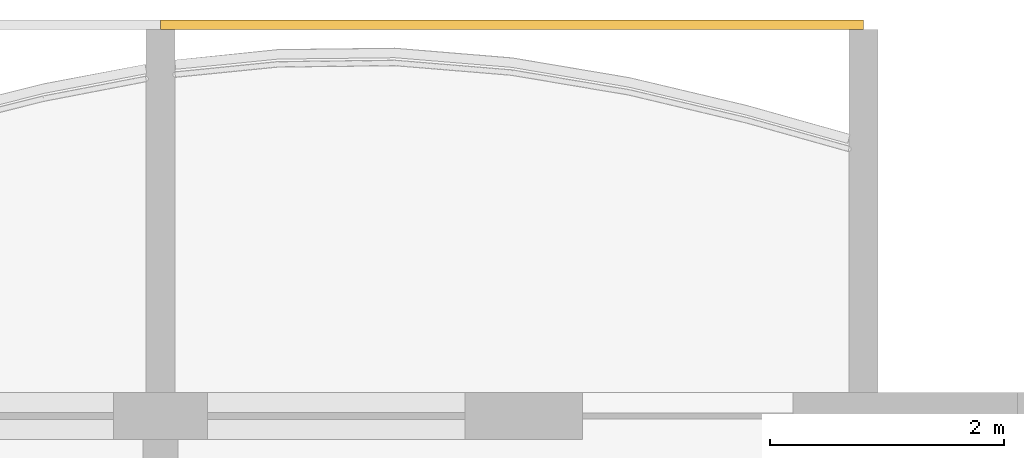
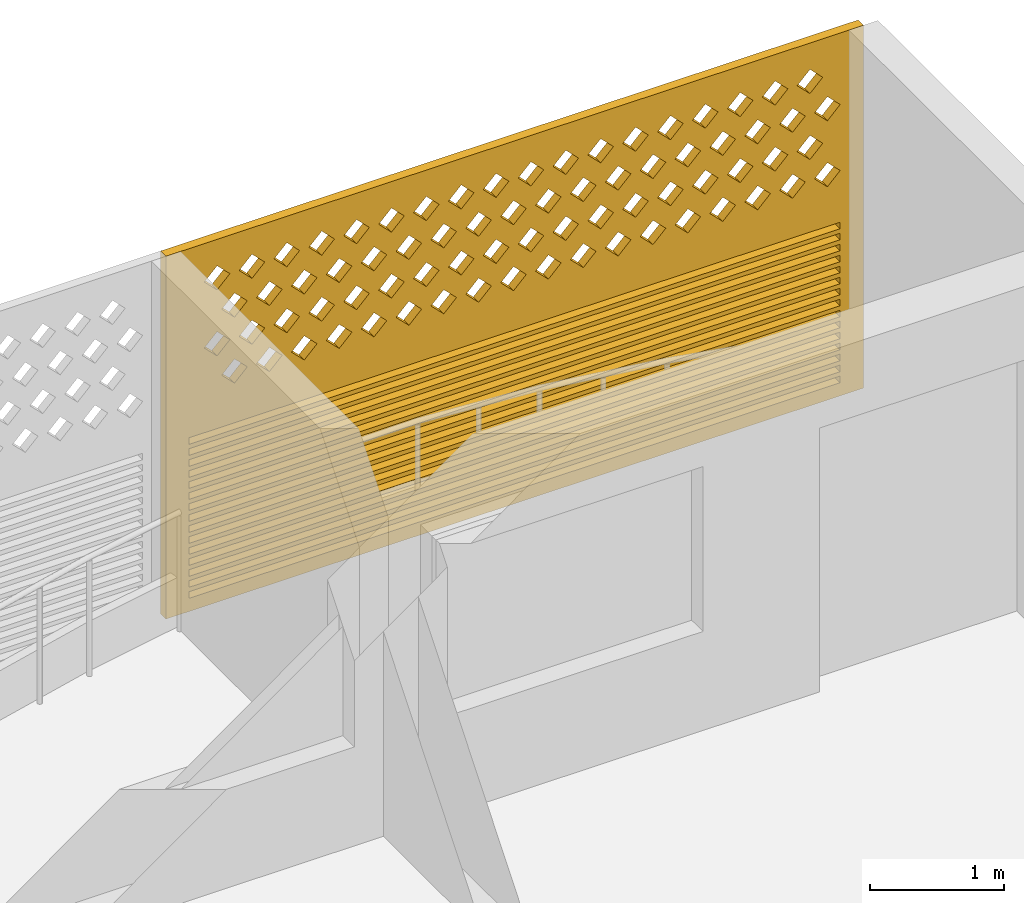
# One storey, part 31 of 31: 1 covering.
"""IFC4 building model written with IfcOpenShell, lengths in metres."""

from ifc_helpers import new_model, si_unit, direction, frame, origin, place, context, subcontext, project, spatial, polyline, outline, extrude, source, transform, mapped, material, material_profile, profile_set, type_object, element, save


model = new_model("IFC4")

# Units and contexts
model_context = context("Model", 3, precision=1e-05, world=origin(), true_north=direction((0.0, 1.0)))
body_context = subcontext(model_context, "Body", "Model", "MODEL_VIEW")
ifc_project = project(units=[si_unit("LENGTHUNIT", "METRE"), si_unit("AREAUNIT", "SQUARE_METRE"), si_unit("VOLUMEUNIT", "CUBIC_METRE"), si_unit("PLANEANGLEUNIT", "RADIAN"), si_unit("MASSUNIT", "GRAM", prefix="KILO")], contexts=[model_context])

# Site, building, storey
site_placement = place(None, origin())
site = spatial("IfcSite", under=ifc_project, at=site_placement, CompositionType="ELEMENT")
building_placement = place(site_placement, origin())
building = spatial("IfcBuilding", under=site, at=building_placement, Name="Poui Terraces", CompositionType="ELEMENT")
storey_placement = place(building_placement, frame((0.0, 0.0, 142.199951171875)))
storey = spatial("IfcBuildingStorey", under=building, at=storey_placement, Name="L39", CompositionType="ELEMENT", Elevation=142.199951171875)

# Covering
ifc_material = material(Name="Terracotta screen", Category="masonry")
ifc_material_profile = material_profile(ifc_material, outline(polyline([(-3.0, -1.64990234375), (3.0, -1.64990234375), (3.0, 1.64990234375), (-3.0, 1.64990234375), (-3.0, -1.64990234375)]), holes=[polyline([(-2.800048828125, 0.39990234375), (-2.68994140625, 0.2900390625), (-2.580078125, 0.39990234375), (-2.68994140625, 0.510009765625), (-2.800048828125, 0.39990234375)]), polyline([(-2.5, 0.39990234375), (-2.389892578125, 0.2900390625), (-2.280029296875, 0.39990234375), (-2.389892578125, 0.510009765625), (-2.5, 0.39990234375)]), polyline([(-2.199951171875, 0.39990234375), (-2.090087890625, 0.2900390625), (-1.97998046875, 0.39990234375), (-2.090087890625, 0.510009765625), (-2.199951171875, 0.39990234375)]), polyline([(-1.89990234375, 0.39990234375), (-1.7900390625, 0.2900390625), (-1.679931640625, 0.39990234375), (-1.7900390625, 0.510009765625), (-1.89990234375, 0.39990234375)]), polyline([(-1.60009765625, 0.39990234375), (-1.489990234375, 0.2900390625), (-1.3798828125, 0.39990234375), (-1.489990234375, 0.510009765625), (-1.60009765625, 0.39990234375)]), polyline([(-1.300048828125, 0.39990234375), (-1.18994140625, 0.2900390625), (-1.080078125, 0.39990234375), (-1.18994140625, 0.510009765625), (-1.300048828125, 0.39990234375)]), polyline([(-1.0, 0.39990234375), (-0.889892578125, 0.2900390625), (-0.780029296875, 0.39990234375), (-0.889892578125, 0.510009765625), (-1.0, 0.39990234375)]), polyline([(-0.699951171875, 0.39990234375), (-0.590087890625, 0.2900390625), (-0.47998046875, 0.39990234375), (-0.590087890625, 0.510009765625), (-0.699951171875, 0.39990234375)]), polyline([(-0.39990234375, 0.39990234375), (-0.2900390625, 0.2900390625), (-0.179931640625, 0.39990234375), (-0.2900390625, 0.510009765625), (-0.39990234375, 0.39990234375)]), polyline([(-0.10009765625, 0.39990234375), (0.010009765625, 0.2900390625), (0.1201171875, 0.39990234375), (0.010009765625, 0.510009765625), (-0.10009765625, 0.39990234375)]), polyline([(0.199951171875, 0.39990234375), (0.31005859375, 0.2900390625), (0.419921875, 0.39990234375), (0.31005859375, 0.510009765625), (0.199951171875, 0.39990234375)]), polyline([(0.5, 0.39990234375), (0.610107421875, 0.2900390625), (0.719970703125, 0.39990234375), (0.610107421875, 0.510009765625), (0.5, 0.39990234375)]), polyline([(0.800048828125, 0.39990234375), (0.909912109375, 0.2900390625), (1.02001953125, 0.39990234375), (0.909912109375, 0.510009765625), (0.800048828125, 0.39990234375)]), polyline([(1.10009765625, 0.39990234375), (1.2099609375, 0.2900390625), (1.320068359375, 0.39990234375), (1.2099609375, 0.510009765625), (1.10009765625, 0.39990234375)]), polyline([(1.39990234375, 0.39990234375), (1.510009765625, 0.2900390625), (1.6201171875, 0.39990234375), (1.510009765625, 0.510009765625), (1.39990234375, 0.39990234375)]), polyline([(1.699951171875, 0.39990234375), (1.81005859375, 0.2900390625), (1.919921875, 0.39990234375), (1.81005859375, 0.510009765625), (1.699951171875, 0.39990234375)]), polyline([(2.0, 0.39990234375), (2.110107421875, 0.2900390625), (2.219970703125, 0.39990234375), (2.110107421875, 0.510009765625), (2.0, 0.39990234375)]), polyline([(2.300048828125, 0.39990234375), (2.409912109375, 0.2900390625), (2.52001953125, 0.39990234375), (2.409912109375, 0.510009765625), (2.300048828125, 0.39990234375)]), polyline([(-2.64990234375, 0.699951171875), (-2.5400390625, 0.590087890625), (-2.429931640625, 0.699951171875), (-2.5400390625, 0.81005859375), (-2.64990234375, 0.699951171875)]), polyline([(-2.35009765625, 0.699951171875), (-2.239990234375, 0.590087890625), (-2.1298828125, 0.699951171875), (-2.239990234375, 0.81005859375), (-2.35009765625, 0.699951171875)]), polyline([(-2.050048828125, 0.699951171875), (-1.93994140625, 0.590087890625), (-1.830078125, 0.699951171875), (-1.93994140625, 0.81005859375), (-2.050048828125, 0.699951171875)]), polyline([(-1.75, 0.699951171875), (-1.639892578125, 0.590087890625), (-1.530029296875, 0.699951171875), (-1.639892578125, 0.81005859375), (-1.75, 0.699951171875)]), polyline([(-1.449951171875, 0.699951171875), (-1.340087890625, 0.590087890625), (-1.22998046875, 0.699951171875), (-1.340087890625, 0.81005859375), (-1.449951171875, 0.699951171875)]), polyline([(-1.14990234375, 0.699951171875), (-1.0400390625, 0.590087890625), (-0.929931640625, 0.699951171875), (-1.0400390625, 0.81005859375), (-1.14990234375, 0.699951171875)]), polyline([(-0.85009765625, 0.699951171875), (-0.739990234375, 0.590087890625), (-0.6298828125, 0.699951171875), (-0.739990234375, 0.81005859375), (-0.85009765625, 0.699951171875)]), polyline([(-0.550048828125, 0.699951171875), (-0.43994140625, 0.590087890625), (-0.330078125, 0.699951171875), (-0.43994140625, 0.81005859375), (-0.550048828125, 0.699951171875)]), polyline([(-0.25, 0.699951171875), (-0.139892578125, 0.590087890625), (-0.030029296875, 0.699951171875), (-0.139892578125, 0.81005859375), (-0.25, 0.699951171875)]), polyline([(0.050048828125, 0.699951171875), (0.159912109375, 0.590087890625), (0.27001953125, 0.699951171875), (0.159912109375, 0.81005859375), (0.050048828125, 0.699951171875)]), polyline([(0.35009765625, 0.699951171875), (0.4599609375, 0.590087890625), (0.570068359375, 0.699951171875), (0.4599609375, 0.81005859375), (0.35009765625, 0.699951171875)]), polyline([(0.64990234375, 0.699951171875), (0.760009765625, 0.590087890625), (0.8701171875, 0.699951171875), (0.760009765625, 0.81005859375), (0.64990234375, 0.699951171875)]), polyline([(0.949951171875, 0.699951171875), (1.06005859375, 0.590087890625), (1.169921875, 0.699951171875), (1.06005859375, 0.81005859375), (0.949951171875, 0.699951171875)]), polyline([(1.25, 0.699951171875), (1.360107421875, 0.590087890625), (1.469970703125, 0.699951171875), (1.360107421875, 0.81005859375), (1.25, 0.699951171875)]), polyline([(1.550048828125, 0.699951171875), (1.659912109375, 0.590087890625), (1.77001953125, 0.699951171875), (1.659912109375, 0.81005859375), (1.550048828125, 0.699951171875)]), polyline([(1.85009765625, 0.699951171875), (1.9599609375, 0.590087890625), (2.070068359375, 0.699951171875), (1.9599609375, 0.81005859375), (1.85009765625, 0.699951171875)]), polyline([(2.14990234375, 0.699951171875), (2.260009765625, 0.590087890625), (2.3701171875, 0.699951171875), (2.260009765625, 0.81005859375), (2.14990234375, 0.699951171875)]), polyline([(2.449951171875, 0.699951171875), (2.56005859375, 0.590087890625), (2.669921875, 0.699951171875), (2.56005859375, 0.81005859375), (2.449951171875, 0.699951171875)]), polyline([(-2.800048828125, 1.0), (-2.68994140625, 0.889892578125), (-2.580078125, 1.0), (-2.68994140625, 1.110107421875), (-2.800048828125, 1.0)]), polyline([(-2.5, 1.0), (-2.389892578125, 0.889892578125), (-2.280029296875, 1.0), (-2.389892578125, 1.110107421875), (-2.5, 1.0)]), polyline([(-2.199951171875, 1.0), (-2.090087890625, 0.889892578125), (-1.97998046875, 1.0), (-2.090087890625, 1.110107421875), (-2.199951171875, 1.0)]), polyline([(-1.89990234375, 1.0), (-1.7900390625, 0.889892578125), (-1.679931640625, 1.0), (-1.7900390625, 1.110107421875), (-1.89990234375, 1.0)]), polyline([(-1.60009765625, 1.0), (-1.489990234375, 0.889892578125), (-1.3798828125, 1.0), (-1.489990234375, 1.110107421875), (-1.60009765625, 1.0)]), polyline([(-1.300048828125, 1.0), (-1.18994140625, 0.889892578125), (-1.080078125, 1.0), (-1.18994140625, 1.110107421875), (-1.300048828125, 1.0)]), polyline([(-1.0, 1.0), (-0.889892578125, 0.889892578125), (-0.780029296875, 1.0), (-0.889892578125, 1.110107421875), (-1.0, 1.0)]), polyline([(-0.699951171875, 1.0), (-0.590087890625, 0.889892578125), (-0.47998046875, 1.0), (-0.590087890625, 1.110107421875), (-0.699951171875, 1.0)]), polyline([(-0.39990234375, 1.0), (-0.2900390625, 0.889892578125), (-0.179931640625, 1.0), (-0.2900390625, 1.110107421875), (-0.39990234375, 1.0)]), polyline([(-0.10009765625, 1.0), (0.010009765625, 0.889892578125), (0.1201171875, 1.0), (0.010009765625, 1.110107421875), (-0.10009765625, 1.0)]), polyline([(0.199951171875, 1.0), (0.31005859375, 0.889892578125), (0.419921875, 1.0), (0.31005859375, 1.110107421875), (0.199951171875, 1.0)]), polyline([(0.5, 1.0), (0.610107421875, 0.889892578125), (0.719970703125, 1.0), (0.610107421875, 1.110107421875), (0.5, 1.0)]), polyline([(0.800048828125, 1.0), (0.909912109375, 0.889892578125), (1.02001953125, 1.0), (0.909912109375, 1.110107421875), (0.800048828125, 1.0)]), polyline([(1.10009765625, 1.0), (1.2099609375, 0.889892578125), (1.320068359375, 1.0), (1.2099609375, 1.110107421875), (1.10009765625, 1.0)]), polyline([(1.39990234375, 1.0), (1.510009765625, 0.889892578125), (1.6201171875, 1.0), (1.510009765625, 1.110107421875), (1.39990234375, 1.0)]), polyline([(1.699951171875, 1.0), (1.81005859375, 0.889892578125), (1.919921875, 1.0), (1.81005859375, 1.110107421875), (1.699951171875, 1.0)]), polyline([(2.0, 1.0), (2.110107421875, 0.889892578125), (2.219970703125, 1.0), (2.110107421875, 1.110107421875), (2.0, 1.0)]), polyline([(2.300048828125, 1.0), (2.409912109375, 0.889892578125), (2.52001953125, 1.0), (2.409912109375, 1.110107421875), (2.300048828125, 1.0)]), polyline([(-2.64990234375, 1.300048828125), (-2.5400390625, 1.18994140625), (-2.429931640625, 1.300048828125), (-2.5400390625, 1.409912109375), (-2.64990234375, 1.300048828125)]), polyline([(-2.35009765625, 1.300048828125), (-2.239990234375, 1.18994140625), (-2.1298828125, 1.300048828125), (-2.239990234375, 1.409912109375), (-2.35009765625, 1.300048828125)]), polyline([(-2.050048828125, 1.300048828125), (-1.93994140625, 1.18994140625), (-1.830078125, 1.300048828125), (-1.93994140625, 1.409912109375), (-2.050048828125, 1.300048828125)]), polyline([(-1.75, 1.300048828125), (-1.639892578125, 1.18994140625), (-1.530029296875, 1.300048828125), (-1.639892578125, 1.409912109375), (-1.75, 1.300048828125)]), polyline([(-1.449951171875, 1.300048828125), (-1.340087890625, 1.18994140625), (-1.22998046875, 1.300048828125), (-1.340087890625, 1.409912109375), (-1.449951171875, 1.300048828125)]), polyline([(-1.14990234375, 1.300048828125), (-1.0400390625, 1.18994140625), (-0.929931640625, 1.300048828125), (-1.0400390625, 1.409912109375), (-1.14990234375, 1.300048828125)]), polyline([(-0.85009765625, 1.300048828125), (-0.739990234375, 1.18994140625), (-0.6298828125, 1.300048828125), (-0.739990234375, 1.409912109375), (-0.85009765625, 1.300048828125)]), polyline([(-0.550048828125, 1.300048828125), (-0.43994140625, 1.18994140625), (-0.330078125, 1.300048828125), (-0.43994140625, 1.409912109375), (-0.550048828125, 1.300048828125)]), polyline([(-0.25, 1.300048828125), (-0.139892578125, 1.18994140625), (-0.030029296875, 1.300048828125), (-0.139892578125, 1.409912109375), (-0.25, 1.300048828125)]), polyline([(0.050048828125, 1.300048828125), (0.159912109375, 1.18994140625), (0.27001953125, 1.300048828125), (0.159912109375, 1.409912109375), (0.050048828125, 1.300048828125)]), polyline([(0.35009765625, 1.300048828125), (0.4599609375, 1.18994140625), (0.570068359375, 1.300048828125), (0.4599609375, 1.409912109375), (0.35009765625, 1.300048828125)]), polyline([(0.64990234375, 1.300048828125), (0.760009765625, 1.18994140625), (0.8701171875, 1.300048828125), (0.760009765625, 1.409912109375), (0.64990234375, 1.300048828125)]), polyline([(0.949951171875, 1.300048828125), (1.06005859375, 1.18994140625), (1.169921875, 1.300048828125), (1.06005859375, 1.409912109375), (0.949951171875, 1.300048828125)]), polyline([(1.25, 1.300048828125), (1.360107421875, 1.18994140625), (1.469970703125, 1.300048828125), (1.360107421875, 1.409912109375), (1.25, 1.300048828125)]), polyline([(1.550048828125, 1.300048828125), (1.659912109375, 1.18994140625), (1.77001953125, 1.300048828125), (1.659912109375, 1.409912109375), (1.550048828125, 1.300048828125)]), polyline([(1.85009765625, 1.300048828125), (1.9599609375, 1.18994140625), (2.070068359375, 1.300048828125), (1.9599609375, 1.409912109375), (1.85009765625, 1.300048828125)]), polyline([(2.14990234375, 1.300048828125), (2.260009765625, 1.18994140625), (2.3701171875, 1.300048828125), (2.260009765625, 1.409912109375), (2.14990234375, 1.300048828125)]), polyline([(2.449951171875, 1.300048828125), (2.56005859375, 1.18994140625), (2.669921875, 1.300048828125), (2.56005859375, 1.409912109375), (2.449951171875, 1.300048828125)]), polyline([(-2.800048828125, -1.530029296875), (2.800048828125, -1.530029296875), (2.800048828125, -1.469970703125), (-2.800048828125, -1.469970703125), (-2.800048828125, -1.530029296875)]), polyline([(-2.800048828125, -1.429931640625), (2.800048828125, -1.429931640625), (2.800048828125, -1.3701171875), (-2.800048828125, -1.3701171875), (-2.800048828125, -1.429931640625)]), polyline([(-2.800048828125, -1.330078125), (2.800048828125, -1.330078125), (2.800048828125, -1.27001953125), (-2.800048828125, -1.27001953125), (-2.800048828125, -1.330078125)]), polyline([(-2.800048828125, -1.22998046875), (2.800048828125, -1.22998046875), (2.800048828125, -1.169921875), (-2.800048828125, -1.169921875), (-2.800048828125, -1.22998046875)]), polyline([(-2.800048828125, -1.1298828125), (2.800048828125, -1.1298828125), (2.800048828125, -1.070068359375), (-2.800048828125, -1.070068359375), (-2.800048828125, -1.1298828125)]), polyline([(-2.800048828125, -1.030029296875), (2.800048828125, -1.030029296875), (2.800048828125, -0.969970703125), (-2.800048828125, -0.969970703125), (-2.800048828125, -1.030029296875)]), polyline([(-2.800048828125, -0.929931640625), (2.800048828125, -0.929931640625), (2.800048828125, -0.8701171875), (-2.800048828125, -0.8701171875), (-2.800048828125, -0.929931640625)]), polyline([(-2.800048828125, -0.830078125), (2.800048828125, -0.830078125), (2.800048828125, -0.77001953125), (-2.800048828125, -0.77001953125), (-2.800048828125, -0.830078125)]), polyline([(-2.800048828125, -0.72998046875), (2.800048828125, -0.72998046875), (2.800048828125, -0.669921875), (-2.800048828125, -0.669921875), (-2.800048828125, -0.72998046875)]), polyline([(-2.800048828125, -0.6298828125), (2.800048828125, -0.6298828125), (2.800048828125, -0.570068359375), (-2.800048828125, -0.570068359375), (-2.800048828125, -0.6298828125)]), polyline([(-2.800048828125, -0.530029296875), (2.800048828125, -0.530029296875), (2.800048828125, -0.469970703125), (-2.800048828125, -0.469970703125), (-2.800048828125, -0.530029296875)]), polyline([(-2.800048828125, -0.429931640625), (2.800048828125, -0.429931640625), (2.800048828125, -0.3701171875), (-2.800048828125, -0.3701171875), (-2.800048828125, -0.429931640625)]), polyline([(-2.800048828125, -0.330078125), (2.800048828125, -0.330078125), (2.800048828125, -0.27001953125), (-2.800048828125, -0.27001953125), (-2.800048828125, -0.330078125)]), polyline([(-2.800048828125, -0.22998046875), (2.800048828125, -0.22998046875), (2.800048828125, -0.169921875), (-2.800048828125, -0.169921875), (-2.800048828125, -0.22998046875)]), polyline([(-2.800048828125, -0.1298828125), (2.800048828125, -0.1298828125), (2.800048828125, -0.070068359375), (-2.800048828125, -0.070068359375), (-2.800048828125, -0.1298828125)])]), Name="TERRACOTTA SCREEN AND JALOUSIE LOUVRE 6000X3300")
ifc_profile_set = profile_set([ifc_material_profile], Name="Terracotta screen")
covering_type = type_object("IfcCoveringType", Name="TERRACOTTA SCREEN AND JALOUSIE LOUVRE 6000X3300", PredefinedType="CLADDING", material=ifc_profile_set)
shared_shape = source(origin(), body_context, "Body", "SweptSolid", [
    extrude(outline(polyline([(-3.0, -1.64990234375), (3.0, -1.64990234375), (3.0, 1.64990234375), (-3.0, 1.64990234375), (-3.0, -1.64990234375)]), holes=[polyline([(-2.800048828125, 0.39990234375), (-2.68994140625, 0.2900390625), (-2.580078125, 0.39990234375), (-2.68994140625, 0.510009765625), (-2.800048828125, 0.39990234375)]), polyline([(-2.5, 0.39990234375), (-2.389892578125, 0.2900390625), (-2.280029296875, 0.39990234375), (-2.389892578125, 0.510009765625), (-2.5, 0.39990234375)]), polyline([(-2.199951171875, 0.39990234375), (-2.090087890625, 0.2900390625), (-1.97998046875, 0.39990234375), (-2.090087890625, 0.510009765625), (-2.199951171875, 0.39990234375)]), polyline([(-1.89990234375, 0.39990234375), (-1.7900390625, 0.2900390625), (-1.679931640625, 0.39990234375), (-1.7900390625, 0.510009765625), (-1.89990234375, 0.39990234375)]), polyline([(-1.60009765625, 0.39990234375), (-1.489990234375, 0.2900390625), (-1.3798828125, 0.39990234375), (-1.489990234375, 0.510009765625), (-1.60009765625, 0.39990234375)]), polyline([(-1.300048828125, 0.39990234375), (-1.18994140625, 0.2900390625), (-1.080078125, 0.39990234375), (-1.18994140625, 0.510009765625), (-1.300048828125, 0.39990234375)]), polyline([(-1.0, 0.39990234375), (-0.889892578125, 0.2900390625), (-0.780029296875, 0.39990234375), (-0.889892578125, 0.510009765625), (-1.0, 0.39990234375)]), polyline([(-0.699951171875, 0.39990234375), (-0.590087890625, 0.2900390625), (-0.47998046875, 0.39990234375), (-0.590087890625, 0.510009765625), (-0.699951171875, 0.39990234375)]), polyline([(-0.39990234375, 0.39990234375), (-0.2900390625, 0.2900390625), (-0.179931640625, 0.39990234375), (-0.2900390625, 0.510009765625), (-0.39990234375, 0.39990234375)]), polyline([(-0.10009765625, 0.39990234375), (0.010009765625, 0.2900390625), (0.1201171875, 0.39990234375), (0.010009765625, 0.510009765625), (-0.10009765625, 0.39990234375)]), polyline([(0.199951171875, 0.39990234375), (0.31005859375, 0.2900390625), (0.419921875, 0.39990234375), (0.31005859375, 0.510009765625), (0.199951171875, 0.39990234375)]), polyline([(0.5, 0.39990234375), (0.610107421875, 0.2900390625), (0.719970703125, 0.39990234375), (0.610107421875, 0.510009765625), (0.5, 0.39990234375)]), polyline([(0.800048828125, 0.39990234375), (0.909912109375, 0.2900390625), (1.02001953125, 0.39990234375), (0.909912109375, 0.510009765625), (0.800048828125, 0.39990234375)]), polyline([(1.10009765625, 0.39990234375), (1.2099609375, 0.2900390625), (1.320068359375, 0.39990234375), (1.2099609375, 0.510009765625), (1.10009765625, 0.39990234375)]), polyline([(1.39990234375, 0.39990234375), (1.510009765625, 0.2900390625), (1.6201171875, 0.39990234375), (1.510009765625, 0.510009765625), (1.39990234375, 0.39990234375)]), polyline([(1.699951171875, 0.39990234375), (1.81005859375, 0.2900390625), (1.919921875, 0.39990234375), (1.81005859375, 0.510009765625), (1.699951171875, 0.39990234375)]), polyline([(2.0, 0.39990234375), (2.110107421875, 0.2900390625), (2.219970703125, 0.39990234375), (2.110107421875, 0.510009765625), (2.0, 0.39990234375)]), polyline([(2.300048828125, 0.39990234375), (2.409912109375, 0.2900390625), (2.52001953125, 0.39990234375), (2.409912109375, 0.510009765625), (2.300048828125, 0.39990234375)]), polyline([(-2.64990234375, 0.699951171875), (-2.5400390625, 0.590087890625), (-2.429931640625, 0.699951171875), (-2.5400390625, 0.81005859375), (-2.64990234375, 0.699951171875)]), polyline([(-2.35009765625, 0.699951171875), (-2.239990234375, 0.590087890625), (-2.1298828125, 0.699951171875), (-2.239990234375, 0.81005859375), (-2.35009765625, 0.699951171875)]), polyline([(-2.050048828125, 0.699951171875), (-1.93994140625, 0.590087890625), (-1.830078125, 0.699951171875), (-1.93994140625, 0.81005859375), (-2.050048828125, 0.699951171875)]), polyline([(-1.75, 0.699951171875), (-1.639892578125, 0.590087890625), (-1.530029296875, 0.699951171875), (-1.639892578125, 0.81005859375), (-1.75, 0.699951171875)]), polyline([(-1.449951171875, 0.699951171875), (-1.340087890625, 0.590087890625), (-1.22998046875, 0.699951171875), (-1.340087890625, 0.81005859375), (-1.449951171875, 0.699951171875)]), polyline([(-1.14990234375, 0.699951171875), (-1.0400390625, 0.590087890625), (-0.929931640625, 0.699951171875), (-1.0400390625, 0.81005859375), (-1.14990234375, 0.699951171875)]), polyline([(-0.85009765625, 0.699951171875), (-0.739990234375, 0.590087890625), (-0.6298828125, 0.699951171875), (-0.739990234375, 0.81005859375), (-0.85009765625, 0.699951171875)]), polyline([(-0.550048828125, 0.699951171875), (-0.43994140625, 0.590087890625), (-0.330078125, 0.699951171875), (-0.43994140625, 0.81005859375), (-0.550048828125, 0.699951171875)]), polyline([(-0.25, 0.699951171875), (-0.139892578125, 0.590087890625), (-0.030029296875, 0.699951171875), (-0.139892578125, 0.81005859375), (-0.25, 0.699951171875)]), polyline([(0.050048828125, 0.699951171875), (0.159912109375, 0.590087890625), (0.27001953125, 0.699951171875), (0.159912109375, 0.81005859375), (0.050048828125, 0.699951171875)]), polyline([(0.35009765625, 0.699951171875), (0.4599609375, 0.590087890625), (0.570068359375, 0.699951171875), (0.4599609375, 0.81005859375), (0.35009765625, 0.699951171875)]), polyline([(0.64990234375, 0.699951171875), (0.760009765625, 0.590087890625), (0.8701171875, 0.699951171875), (0.760009765625, 0.81005859375), (0.64990234375, 0.699951171875)]), polyline([(0.949951171875, 0.699951171875), (1.06005859375, 0.590087890625), (1.169921875, 0.699951171875), (1.06005859375, 0.81005859375), (0.949951171875, 0.699951171875)]), polyline([(1.25, 0.699951171875), (1.360107421875, 0.590087890625), (1.469970703125, 0.699951171875), (1.360107421875, 0.81005859375), (1.25, 0.699951171875)]), polyline([(1.550048828125, 0.699951171875), (1.659912109375, 0.590087890625), (1.77001953125, 0.699951171875), (1.659912109375, 0.81005859375), (1.550048828125, 0.699951171875)]), polyline([(1.85009765625, 0.699951171875), (1.9599609375, 0.590087890625), (2.070068359375, 0.699951171875), (1.9599609375, 0.81005859375), (1.85009765625, 0.699951171875)]), polyline([(2.14990234375, 0.699951171875), (2.260009765625, 0.590087890625), (2.3701171875, 0.699951171875), (2.260009765625, 0.81005859375), (2.14990234375, 0.699951171875)]), polyline([(2.449951171875, 0.699951171875), (2.56005859375, 0.590087890625), (2.669921875, 0.699951171875), (2.56005859375, 0.81005859375), (2.449951171875, 0.699951171875)]), polyline([(-2.800048828125, 1.0), (-2.68994140625, 0.889892578125), (-2.580078125, 1.0), (-2.68994140625, 1.110107421875), (-2.800048828125, 1.0)]), polyline([(-2.5, 1.0), (-2.389892578125, 0.889892578125), (-2.280029296875, 1.0), (-2.389892578125, 1.110107421875), (-2.5, 1.0)]), polyline([(-2.199951171875, 1.0), (-2.090087890625, 0.889892578125), (-1.97998046875, 1.0), (-2.090087890625, 1.110107421875), (-2.199951171875, 1.0)]), polyline([(-1.89990234375, 1.0), (-1.7900390625, 0.889892578125), (-1.679931640625, 1.0), (-1.7900390625, 1.110107421875), (-1.89990234375, 1.0)]), polyline([(-1.60009765625, 1.0), (-1.489990234375, 0.889892578125), (-1.3798828125, 1.0), (-1.489990234375, 1.110107421875), (-1.60009765625, 1.0)]), polyline([(-1.300048828125, 1.0), (-1.18994140625, 0.889892578125), (-1.080078125, 1.0), (-1.18994140625, 1.110107421875), (-1.300048828125, 1.0)]), polyline([(-1.0, 1.0), (-0.889892578125, 0.889892578125), (-0.780029296875, 1.0), (-0.889892578125, 1.110107421875), (-1.0, 1.0)]), polyline([(-0.699951171875, 1.0), (-0.590087890625, 0.889892578125), (-0.47998046875, 1.0), (-0.590087890625, 1.110107421875), (-0.699951171875, 1.0)]), polyline([(-0.39990234375, 1.0), (-0.2900390625, 0.889892578125), (-0.179931640625, 1.0), (-0.2900390625, 1.110107421875), (-0.39990234375, 1.0)]), polyline([(-0.10009765625, 1.0), (0.010009765625, 0.889892578125), (0.1201171875, 1.0), (0.010009765625, 1.110107421875), (-0.10009765625, 1.0)]), polyline([(0.199951171875, 1.0), (0.31005859375, 0.889892578125), (0.419921875, 1.0), (0.31005859375, 1.110107421875), (0.199951171875, 1.0)]), polyline([(0.5, 1.0), (0.610107421875, 0.889892578125), (0.719970703125, 1.0), (0.610107421875, 1.110107421875), (0.5, 1.0)]), polyline([(0.800048828125, 1.0), (0.909912109375, 0.889892578125), (1.02001953125, 1.0), (0.909912109375, 1.110107421875), (0.800048828125, 1.0)]), polyline([(1.10009765625, 1.0), (1.2099609375, 0.889892578125), (1.320068359375, 1.0), (1.2099609375, 1.110107421875), (1.10009765625, 1.0)]), polyline([(1.39990234375, 1.0), (1.510009765625, 0.889892578125), (1.6201171875, 1.0), (1.510009765625, 1.110107421875), (1.39990234375, 1.0)]), polyline([(1.699951171875, 1.0), (1.81005859375, 0.889892578125), (1.919921875, 1.0), (1.81005859375, 1.110107421875), (1.699951171875, 1.0)]), polyline([(2.0, 1.0), (2.110107421875, 0.889892578125), (2.219970703125, 1.0), (2.110107421875, 1.110107421875), (2.0, 1.0)]), polyline([(2.300048828125, 1.0), (2.409912109375, 0.889892578125), (2.52001953125, 1.0), (2.409912109375, 1.110107421875), (2.300048828125, 1.0)]), polyline([(-2.64990234375, 1.300048828125), (-2.5400390625, 1.18994140625), (-2.429931640625, 1.300048828125), (-2.5400390625, 1.409912109375), (-2.64990234375, 1.300048828125)]), polyline([(-2.35009765625, 1.300048828125), (-2.239990234375, 1.18994140625), (-2.1298828125, 1.300048828125), (-2.239990234375, 1.409912109375), (-2.35009765625, 1.300048828125)]), polyline([(-2.050048828125, 1.300048828125), (-1.93994140625, 1.18994140625), (-1.830078125, 1.300048828125), (-1.93994140625, 1.409912109375), (-2.050048828125, 1.300048828125)]), polyline([(-1.75, 1.300048828125), (-1.639892578125, 1.18994140625), (-1.530029296875, 1.300048828125), (-1.639892578125, 1.409912109375), (-1.75, 1.300048828125)]), polyline([(-1.449951171875, 1.300048828125), (-1.340087890625, 1.18994140625), (-1.22998046875, 1.300048828125), (-1.340087890625, 1.409912109375), (-1.449951171875, 1.300048828125)]), polyline([(-1.14990234375, 1.300048828125), (-1.0400390625, 1.18994140625), (-0.929931640625, 1.300048828125), (-1.0400390625, 1.409912109375), (-1.14990234375, 1.300048828125)]), polyline([(-0.85009765625, 1.300048828125), (-0.739990234375, 1.18994140625), (-0.6298828125, 1.300048828125), (-0.739990234375, 1.409912109375), (-0.85009765625, 1.300048828125)]), polyline([(-0.550048828125, 1.300048828125), (-0.43994140625, 1.18994140625), (-0.330078125, 1.300048828125), (-0.43994140625, 1.409912109375), (-0.550048828125, 1.300048828125)]), polyline([(-0.25, 1.300048828125), (-0.139892578125, 1.18994140625), (-0.030029296875, 1.300048828125), (-0.139892578125, 1.409912109375), (-0.25, 1.300048828125)]), polyline([(0.050048828125, 1.300048828125), (0.159912109375, 1.18994140625), (0.27001953125, 1.300048828125), (0.159912109375, 1.409912109375), (0.050048828125, 1.300048828125)]), polyline([(0.35009765625, 1.300048828125), (0.4599609375, 1.18994140625), (0.570068359375, 1.300048828125), (0.4599609375, 1.409912109375), (0.35009765625, 1.300048828125)]), polyline([(0.64990234375, 1.300048828125), (0.760009765625, 1.18994140625), (0.8701171875, 1.300048828125), (0.760009765625, 1.409912109375), (0.64990234375, 1.300048828125)]), polyline([(0.949951171875, 1.300048828125), (1.06005859375, 1.18994140625), (1.169921875, 1.300048828125), (1.06005859375, 1.409912109375), (0.949951171875, 1.300048828125)]), polyline([(1.25, 1.300048828125), (1.360107421875, 1.18994140625), (1.469970703125, 1.300048828125), (1.360107421875, 1.409912109375), (1.25, 1.300048828125)]), polyline([(1.550048828125, 1.300048828125), (1.659912109375, 1.18994140625), (1.77001953125, 1.300048828125), (1.659912109375, 1.409912109375), (1.550048828125, 1.300048828125)]), polyline([(1.85009765625, 1.300048828125), (1.9599609375, 1.18994140625), (2.070068359375, 1.300048828125), (1.9599609375, 1.409912109375), (1.85009765625, 1.300048828125)]), polyline([(2.14990234375, 1.300048828125), (2.260009765625, 1.18994140625), (2.3701171875, 1.300048828125), (2.260009765625, 1.409912109375), (2.14990234375, 1.300048828125)]), polyline([(2.449951171875, 1.300048828125), (2.56005859375, 1.18994140625), (2.669921875, 1.300048828125), (2.56005859375, 1.409912109375), (2.449951171875, 1.300048828125)]), polyline([(-2.800048828125, -1.530029296875), (2.800048828125, -1.530029296875), (2.800048828125, -1.469970703125), (-2.800048828125, -1.469970703125), (-2.800048828125, -1.530029296875)]), polyline([(-2.800048828125, -1.429931640625), (2.800048828125, -1.429931640625), (2.800048828125, -1.3701171875), (-2.800048828125, -1.3701171875), (-2.800048828125, -1.429931640625)]), polyline([(-2.800048828125, -1.330078125), (2.800048828125, -1.330078125), (2.800048828125, -1.27001953125), (-2.800048828125, -1.27001953125), (-2.800048828125, -1.330078125)]), polyline([(-2.800048828125, -1.22998046875), (2.800048828125, -1.22998046875), (2.800048828125, -1.169921875), (-2.800048828125, -1.169921875), (-2.800048828125, -1.22998046875)]), polyline([(-2.800048828125, -1.1298828125), (2.800048828125, -1.1298828125), (2.800048828125, -1.070068359375), (-2.800048828125, -1.070068359375), (-2.800048828125, -1.1298828125)]), polyline([(-2.800048828125, -1.030029296875), (2.800048828125, -1.030029296875), (2.800048828125, -0.969970703125), (-2.800048828125, -0.969970703125), (-2.800048828125, -1.030029296875)]), polyline([(-2.800048828125, -0.929931640625), (2.800048828125, -0.929931640625), (2.800048828125, -0.8701171875), (-2.800048828125, -0.8701171875), (-2.800048828125, -0.929931640625)]), polyline([(-2.800048828125, -0.830078125), (2.800048828125, -0.830078125), (2.800048828125, -0.77001953125), (-2.800048828125, -0.77001953125), (-2.800048828125, -0.830078125)]), polyline([(-2.800048828125, -0.72998046875), (2.800048828125, -0.72998046875), (2.800048828125, -0.669921875), (-2.800048828125, -0.669921875), (-2.800048828125, -0.72998046875)]), polyline([(-2.800048828125, -0.6298828125), (2.800048828125, -0.6298828125), (2.800048828125, -0.570068359375), (-2.800048828125, -0.570068359375), (-2.800048828125, -0.6298828125)]), polyline([(-2.800048828125, -0.530029296875), (2.800048828125, -0.530029296875), (2.800048828125, -0.469970703125), (-2.800048828125, -0.469970703125), (-2.800048828125, -0.530029296875)]), polyline([(-2.800048828125, -0.429931640625), (2.800048828125, -0.429931640625), (2.800048828125, -0.3701171875), (-2.800048828125, -0.3701171875), (-2.800048828125, -0.429931640625)]), polyline([(-2.800048828125, -0.330078125), (2.800048828125, -0.330078125), (2.800048828125, -0.27001953125), (-2.800048828125, -0.27001953125), (-2.800048828125, -0.330078125)]), polyline([(-2.800048828125, -0.22998046875), (2.800048828125, -0.22998046875), (2.800048828125, -0.169921875), (-2.800048828125, -0.169921875), (-2.800048828125, -0.22998046875)]), polyline([(-2.800048828125, -0.1298828125), (2.800048828125, -0.1298828125), (2.800048828125, -0.070068359375), (-2.800048828125, -0.070068359375), (-2.800048828125, -0.1298828125)])]), origin(), (0.0, 0.0, 1.0), 0.080078125),
])
covering_placement = place(storey_placement, frame((81.0, 45.699951171875, 1.449951171875), z_axis=(0.0, 1.0, 0.0), x_axis=(-1.0, 0.0, 0.0)))
element("IfcCovering", 1, at=covering_placement, inside=storey, type_object=covering_type, Name="SOLAR SCREEN AND JALOUSIE LOUVRE", PredefinedType="CLADDING", context=body_context, shape_type="MappedRepresentation", body=[
    mapped(shared_shape, transform((0.0, 0.0, 0.0))),
])

save(model, "model.ifc")
